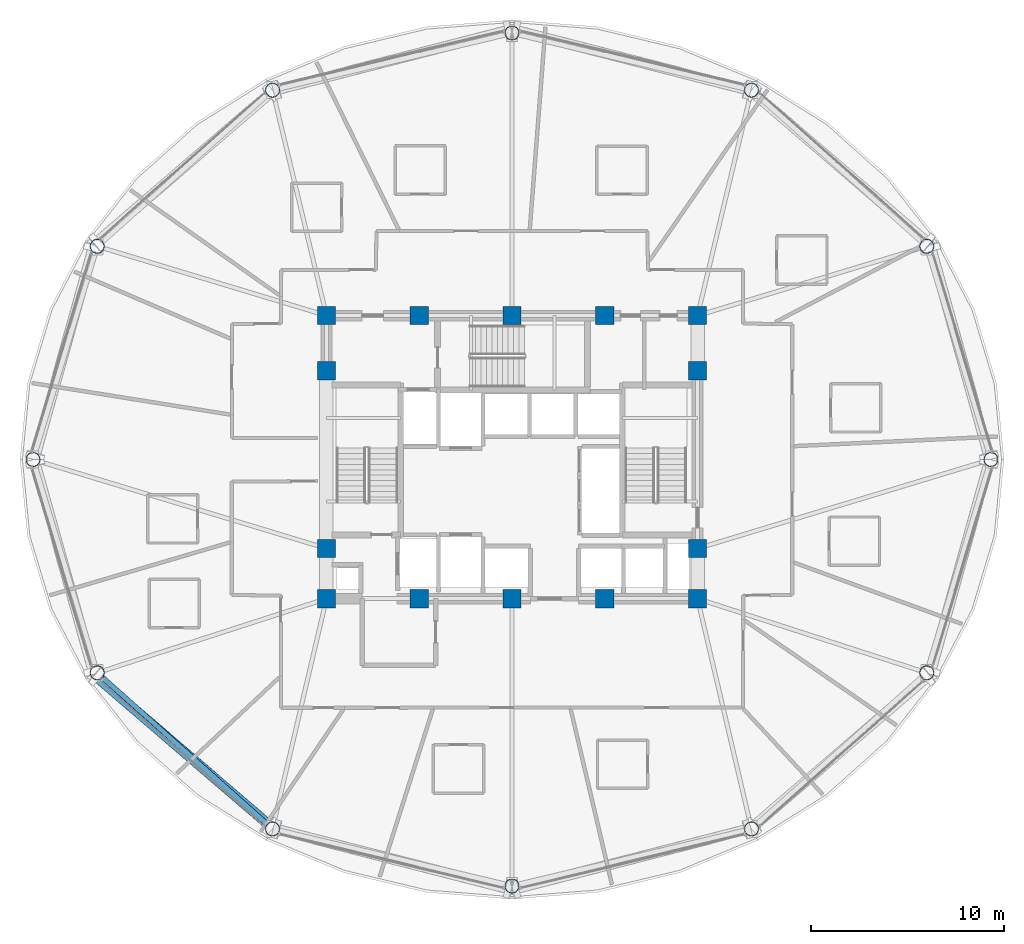
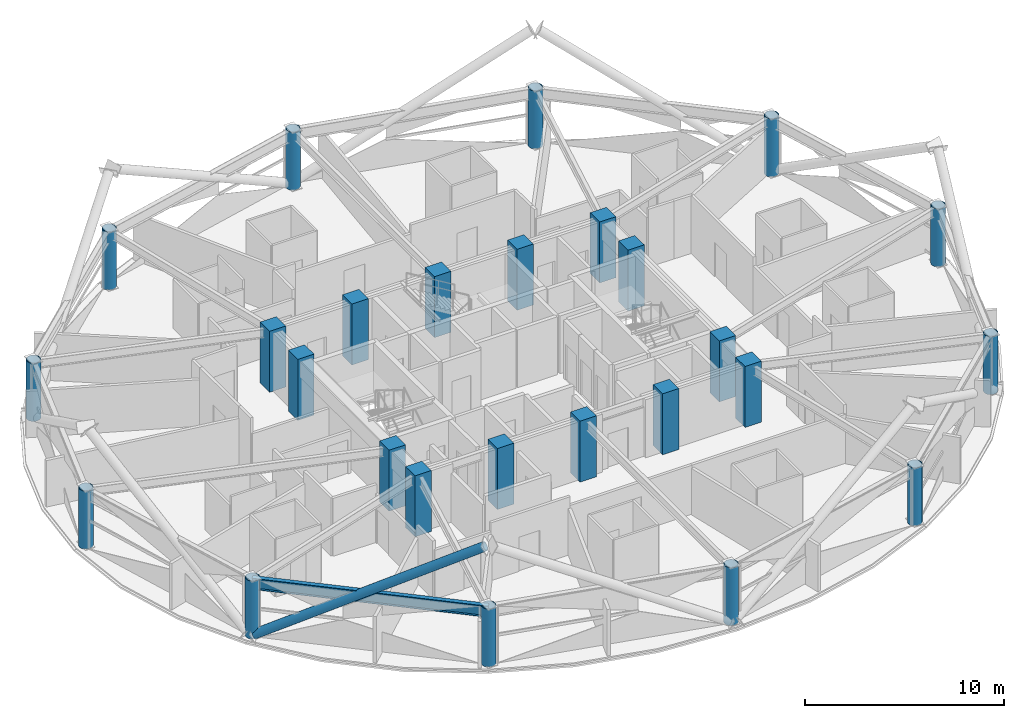
# One storey, part 1 of 29: 26 columns, 1 beam, 1 member.
"""IFC4 building model written with IfcOpenShell, lengths in metres."""

from ifc_helpers import new_model, si_unit, direction, frame, origin, origin_2d, place, context, subcontext, project, spatial, rectangle, hollow_circle, i_section, extrude, material, material_profile, profile_set, type_object, element, save


model = new_model("IFC4")

# Units and contexts
model_context = context("Model", 3, precision=1e-05, world=origin(), true_north=direction((0.0, 1.0)))
body_context = subcontext(model_context, "Body", "Model", "MODEL_VIEW")
ifc_project = project(units=[si_unit("LENGTHUNIT", "METRE"), si_unit("AREAUNIT", "SQUARE_METRE"), si_unit("VOLUMEUNIT", "CUBIC_METRE"), si_unit("PLANEANGLEUNIT", "RADIAN"), si_unit("MASSUNIT", "GRAM", prefix="KILO")], contexts=[model_context])

# Site, building, storey
site_placement = place(None, origin())
site = spatial("IfcSite", under=ifc_project, at=site_placement, CompositionType="ELEMENT")
building_placement = place(site_placement, origin())
building = spatial("IfcBuilding", under=site, at=building_placement, Name="Vantalir Tower", CompositionType="ELEMENT")
storey_placement = place(building_placement, frame((0.0, 0.0, 157.199951171875)))
storey = spatial("IfcBuildingStorey", under=building, at=storey_placement, Name="L39", CompositionType="ELEMENT", Elevation=157.199951171875)

# Columns
ifc_material_1 = material(Name="Concrete C60/75", Category="concrete")
ifc_material_profile_1 = material_profile(ifc_material_1, rectangle(XDim=0.949951171875, YDim=0.949951171875, at=origin_2d()), Name="Concrete C60/75")
ifc_profile_set_1 = profile_set([ifc_material_profile_1], Name="Concrete C60/75")
column_type_1 = type_object("IfcColumnType", Name="COL-CC-950", PredefinedType="COLUMN", material=ifc_profile_set_1)
for number, where, z_axis, x_axis, name in (
    (1, (21.89990234375, 17.800048828125, 0.0), (0.0, 0.0, 1.0), (1.0, 0.0, 0.0), "L39 Core Column CC01"),
    (2, (26.699951171875, 17.800048828125, 0.0), (0.0, 0.0, 1.0), (1.0, 0.0, 0.0), "L39 Core Column CC02"),
    (3, (31.5, 17.800048828125, 0.0), (0.0, 0.0, 1.0), (1.0, 0.0, 0.0), "L39 Core Column CC03"),
    (4, (36.300048828125, 17.800048828125, 0.0), (0.0, 0.0, 1.0), (1.0, 0.0, 0.0), "L39 Core Column CC04"),
    (5, (41.10009765625, 17.800048828125, 0.0), (0.0, 0.0, 1.0), (1.0, 0.0, 0.0), "L39 Core Column CC05"),
    (6, (21.89990234375, 20.39990234375, 0.0), (0.0, 0.0, 1.0), (1.0, 0.0, 0.0), "L39 Core Column CC06"),
    (7, (21.89990234375, 29.60009765625, 0.0), (0.0, 0.0, 1.0), (1.0, 0.0, 0.0), "L39 Core Column CC07"),
    (8, (41.10009765625, 20.39990234375, 0.0), (0.0, 0.0, 1.0), (1.0, 0.0, 0.0), "L39 Core Column CC08"),
    (9, (41.10009765625, 29.60009765625, 0.0), (0.0, 0.0, 1.0), (1.0, 0.0, 0.0), "L39 Core Column CC09"),
    (10, (21.89990234375, 32.449951171875, 0.0), (0.0, 0.0, 1.0), (1.0, 0.0, 0.0), "L39 Core Column CC10"),
    (11, (26.699951171875, 32.449951171875, 0.0), (0.0, 0.0, 1.0), (1.0, 0.0, 0.0), "L39 Core Column CC11"),
    (12, (31.5, 32.449951171875, 0.0), (0.0, 0.0, 1.0), (1.0, 0.0, 0.0), "L39 Core Column CC12"),
    (13, (36.300048828125, 32.449951171875, 0.0), (0.0, 0.0, 1.0), (1.0, 0.0, 0.0), "L39 Core Column CC13"),
    (14, (41.10009765625, 32.449951171875, 0.0), (0.0, 0.0, 1.0), (1.0, 0.0, 0.0), "L39 Core Column CC14"),
):
    element("IfcColumn", number, at=place(storey_placement, frame(where, z_axis=z_axis, x_axis=x_axis)), inside=storey, type_object=column_type_1, Name=name, PredefinedType="COLUMN", context=body_context, shape_type="SweptSolid", body=[
        extrude(rectangle(XDim=0.949951171875, YDim=0.949951171875, at=origin_2d()), origin(), (0.0, 0.0, 1.0), 3.75),
    ])
ifc_material_2 = material(Name="Steel S460", Category="steel")
ifc_material_profile_2 = material_profile(ifc_material_2, hollow_circle(Radius=0.375, WallThickness=0.034912109375, at=origin_2d()), Name="Steel S460")
ifc_profile_set_2 = profile_set([ifc_material_profile_2], Name="Steel S460")
column_type_2 = type_object("IfcColumnType", Name="COL-RC-750", PredefinedType="COLUMN", material=ifc_profile_set_2)
for number, where, z_axis, x_axis, name in (
    (15, (56.282958984375, 25.0, 0.0), (0.0, 0.0, 1.0), (1.0, 0.0, 0.0), "L39 Perimeter Ring Column RC01"),
    (16, (52.962890625, 36.033935546875, 0.0), (0.0, 0.0, 1.0), (1.0, 0.0, 0.0), "L39 Perimeter Ring Column RC02"),
    (17, (43.89208984375, 44.112060546875, 0.0), (0.0, 0.0, 1.0), (1.0, 0.0, 0.0), "L39 Perimeter Ring Column RC03"),
    (18, (31.5, 47.069091796875, 0.0), (0.0, 0.0, 1.0), (1.0, 0.0, 0.0), "L39 Perimeter Ring Column RC04"),
    (19, (19.10888671875, 44.112060546875, 0.0), (0.0, 0.0, 1.0), (1.0, 0.0, 0.0), "L39 Perimeter Ring Column RC05"),
    (20, (10.037109375, 36.033935546875, 0.0), (0.0, 0.0, 1.0), (1.0, 0.0, 0.0), "L39 Perimeter Ring Column RC06"),
    (21, (6.717041015625, 25.0, 0.0), (0.0, 0.0, 1.0), (1.0, 0.0, 0.0), "L39 Perimeter Ring Column RC07"),
    (22, (10.037109375, 13.965087890625, 0.0), (0.0, 0.0, 1.0), (1.0, 0.0, 0.0), "L39 Perimeter Ring Column RC08"),
    (23, (19.10791015625, 5.887939453125, 0.0), (0.0, 0.0, 1.0), (1.0, 0.0, 0.0), "L39 Perimeter Ring Column RC09"),
    (24, (31.5, 2.930908203125, 0.0), (0.0, 0.0, 1.0), (1.0, 0.0, 0.0), "L39 Perimeter Ring Column RC10"),
    (25, (43.89208984375, 5.887939453125, 0.0), (0.0, 0.0, 1.0), (1.0, 0.0, 0.0), "L39 Perimeter Ring Column RC11"),
    (26, (52.962890625, 13.965087890625, 0.0), (0.0, 0.0, 1.0), (1.0, 0.0, 0.0), "L39 Perimeter Ring Column RC12"),
):
    element("IfcColumn", number, at=place(storey_placement, frame(where, z_axis=z_axis, x_axis=x_axis)), inside=storey, type_object=column_type_2, Name=name, PredefinedType="COLUMN", context=body_context, shape_type="SweptSolid", body=[
        extrude(hollow_circle(Radius=0.375, WallThickness=0.034912109375, at=origin_2d()), origin(), (0.0, 0.0, 1.0), 3.570068359375),
    ])

# Beam
ifc_material_profile_3 = material_profile(ifc_material_2, i_section(OverallWidth=0.256103515625, OverallDepth=0.693115234375, WebThickness=0.014404296875, FlangeThickness=0.023681640625, at=origin_2d()), Name="Steel S460")
ifc_profile_set_3 = profile_set([ifc_material_profile_3], Name="Steel S460")
beam_type = type_object("IfcBeamType", Name="BM-RG-686x254", PredefinedType="USERDEFINED", material=ifc_profile_set_3)
beam_placement = place(storey_placement, frame((10.037109375, 13.965087890625, 3.22412109375), z_axis=(0.746827909531, -0.665017348305, 0.0), x_axis=(0.665017348305, 0.746827909531, 0.0)))
element("IfcBeam", 27, at=beam_placement, inside=storey, type_object=beam_type, Name="L39 Circumferential Ring Girder 08", ObjectType="GIRDER", PredefinedType="USERDEFINED", context=body_context, shape_type="SweptSolid", body=[
    extrude(i_section(OverallWidth=0.256103515625, OverallDepth=0.693115234375, WebThickness=0.014404296875, FlangeThickness=0.023681640625, at=origin_2d()), origin(), (0.0, 0.0, 1.0), 12.145751953125),
])

# Member
ifc_material_profile_4 = material_profile(ifc_material_2, hollow_circle(Radius=0.260009765625, WallThickness=0.0380859375, at=origin_2d()), Name="Steel S460")
ifc_profile_set_4 = profile_set([ifc_material_profile_4], Name="Steel S460")
member_type = type_object("IfcMemberType", Name="MEM-DB-520x38", PredefinedType="BRACE", material=ifc_profile_set_4)
member_placement = place(storey_placement, frame((10.01708984375, 13.74609375, 0.191162109375), z_axis=(0.654456459093, -0.561944281263, 0.505870900435), x_axis=(0.651447122521, 0.75869404015, 0.0)))
element("IfcMember", 28, at=member_placement, inside=storey, type_object=member_type, Name="L39 Perimeter S460 Diagrid Brace R22L", PredefinedType="BRACE", context=body_context, shape_type="SweptSolid", body=[
    extrude(hollow_circle(Radius=0.260009765625, WallThickness=0.0380859375, at=origin_2d()), origin(), (0.0, 0.0, 1.0), 13.71484375),
])

save(model, "model.ifc")
